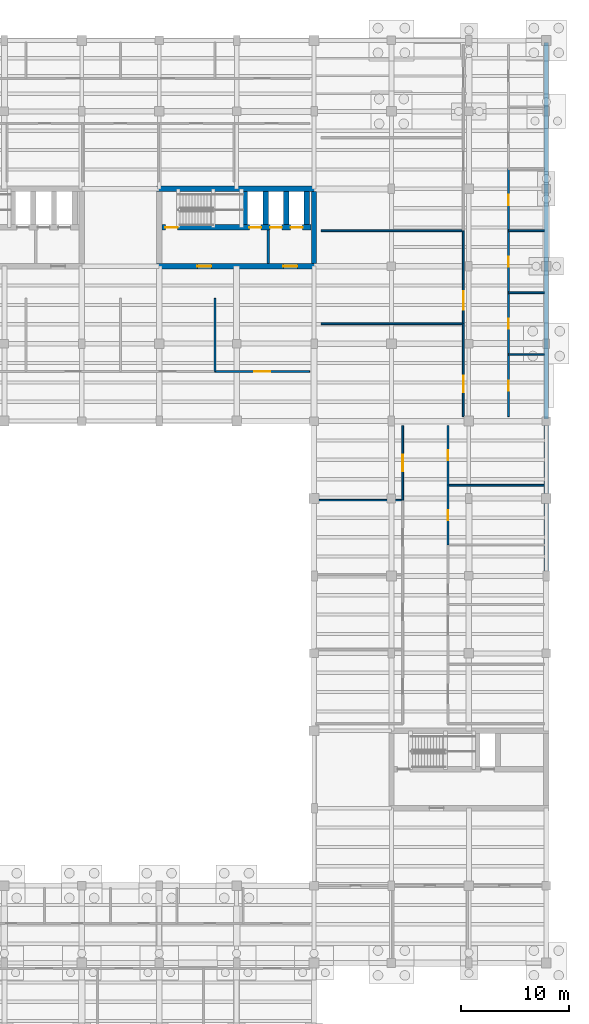
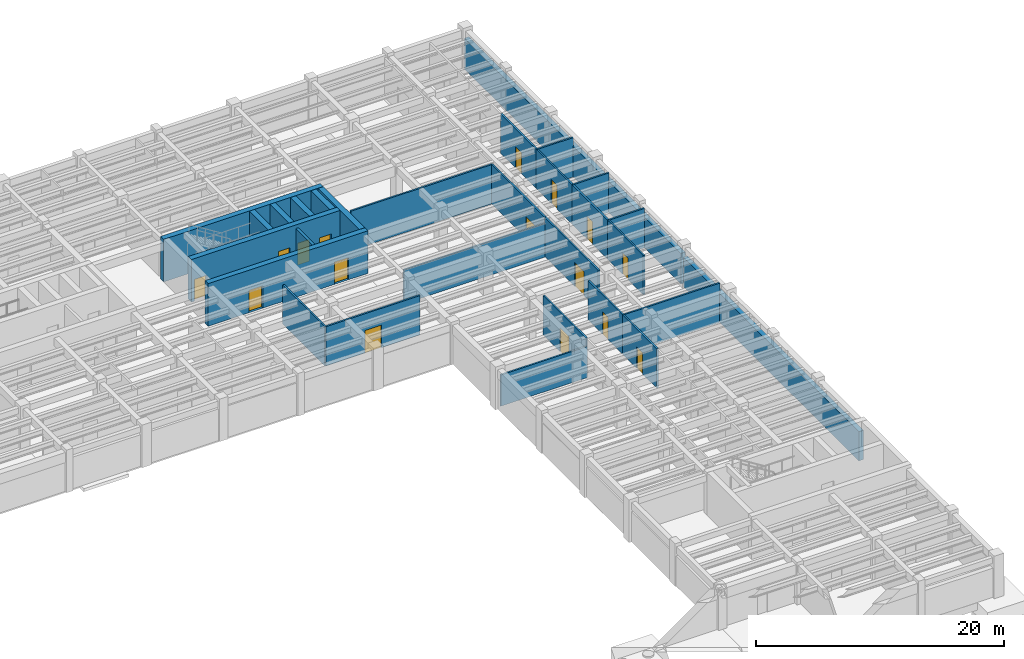
# One storey, part 24 of 33: 29 walls, 16 doors, 16 openings.
"""IFC4 building model written with IfcOpenShell, lengths in metres."""

from ifc_helpers import new_model, si_unit, direction, frame, frame_2d, origin, place, context, subcontext, project, spatial, rectangle, extrude, material, layer, layer_set, type_object, element, fill, save


model = new_model("IFC4")

# Units and contexts
model_context = context("Model", 3, precision=1e-05, world=origin(), true_north=direction((0.0, 1.0)))
body_context = subcontext(model_context, "Body", "Model", "MODEL_VIEW")
ifc_project = project(units=[si_unit("LENGTHUNIT", "METRE"), si_unit("AREAUNIT", "SQUARE_METRE"), si_unit("VOLUMEUNIT", "CUBIC_METRE"), si_unit("PLANEANGLEUNIT", "RADIAN"), si_unit("MASSUNIT", "GRAM", prefix="KILO")], contexts=[model_context])

# Site, building, storey
site_placement = place(None, origin())
site = spatial("IfcSite", under=ifc_project, at=site_placement, CompositionType="ELEMENT")
building_placement = place(site_placement, origin())
building = spatial("IfcBuilding", under=site, at=building_placement, Name="Mithqara Police Headquarters", CompositionType="ELEMENT")
storey_placement = place(building_placement, frame((0.0, 0.0, -4.199951171875)))
storey = spatial("IfcBuildingStorey", under=building, at=storey_placement, Name="B1", CompositionType="ELEMENT", Elevation=-4.199951171875)

# Walls
ifc_material_1 = material(Name="Concrete C40/50", Category="concrete")
ifc_layer_1 = layer(ifc_material_1, 0.239990234375, Name="Concrete C40/50")
ifc_layer_set_1 = layer_set([ifc_layer_1], Name="Concrete C40/50")
wall_type_1 = type_object("IfcWallType", Name="CORE LOBBY WALL 240", PredefinedType="SOLIDWALL", material=ifc_layer_set_1)
wall_1_placement = place(storey_placement, frame((140.330078125, 93.25, 0.0), z_axis=(0.0, 0.0, 1.0), x_axis=(0.0, 1.0, 0.0)))
element("IfcWall", 1, at=wall_1_placement, inside=storey, type_object=wall_type_1, Name="Core C2 Command East Firefighting Lobby Separation Wall B1", PredefinedType="SOLIDWALL", context=body_context, shape_type="SweptSolid", body=[
    extrude(rectangle(XDim=3.1201171875, YDim=0.239990234375, at=frame_2d((1.56005859375, 0.0))), origin(), (0.0, 0.0, 1.0), 3.849853515625),
])
ifc_material_2 = material(Name="Gypsum acoustic stud partition", Category="gypsum")
ifc_layer_2 = layer(ifc_material_2, 0.159912109375, Name="Gypsum acoustic stud partition")
ifc_layer_set_2 = layer_set([ifc_layer_2], Name="Gypsum acoustic stud partition")
wall_type_2 = type_object("IfcWallType", Name="PART WALL 160", PredefinedType="PARTITIONING", material=ifc_layer_set_2)
wall_2_placement = place(storey_placement, frame((135.389892578125, 83.219970703125, 0.0), z_axis=(0.0, 0.0, 1.0), x_axis=(0.0, 1.0, 0.0)))
element("IfcWall", 2, at=wall_2_placement, inside=storey, type_object=wall_type_2, Name="B1 Room Partition Accessible WC", PredefinedType="PARTITIONING", context=body_context, shape_type="SweptSolid", body=[
    extrude(rectangle(XDim=6.780029296875, YDim=0.159912109375, at=frame_2d((3.39013671875, 0.0))), origin(), (0.0, 0.0, 1.0), 3.8798828125),
])

# Wall, opening, door
wall_3_placement = place(storey_placement, frame((135.389892578125, 83.219970703125, 0.0), z_axis=(0.0, 0.0, 1.0), x_axis=(1.0, 0.0, 0.0)))
wall_3 = element("IfcWall", 3, at=wall_3_placement, inside=storey, type_object=wall_type_2, Name="B1 Corridor Wall Patrol Car Park", PredefinedType="PARTITIONING", context=body_context, shape_type="SweptSolid", body=[
    extrude(rectangle(XDim=8.7900390625, YDim=0.159912109375, at=frame_2d((4.39501953125, 0.0))), origin(), (0.0, 0.0, 1.0), 3.8798828125),
])
opening_1_placement = place(wall_3_placement, frame((3.635009765625, 0.0, 0.0)))
opening_1 = element("IfcOpeningElement", 4, at=opening_1_placement, cuts=wall_3, Name="Opening D-20", PredefinedType="OPENING", context=body_context, shape_type="SweptSolid", body=[
    extrude(rectangle(XDim=1.52001953125, YDim=2.219970703125, at=frame_2d((0.760009765625, 1.10986328125))), frame((0.0, 0.08984375, 0.0), z_axis=(0.0, -1.0, 0.0), x_axis=(1.0, 0.0, 0.0)), (0.0, 0.0, 1.0), 0.179931640625),
])
ifc_material_3 = material(Name="Bronze anodised aluminium 6063-T6", Category="aluminium")
door_type_1 = type_object("IfcDoorType", Name="INT DOOR 1520X2220", OperationType="NOTDEFINED", PredefinedType="DOOR", material=ifc_material_3)
door_1_placement = place(opening_1_placement, origin())
door_1 = element("IfcDoor", 5, at=door_1_placement, inside=storey, type_object=door_type_1, Name="Patrol Car Park Entry Door", OperationType="DOUBLE_DOOR_SINGLE_SWING", OverallHeight=2.219970703125, OverallWidth=1.52001953125, PredefinedType="DOOR", context=body_context, shape_type="SweptSolid", body=[
    extrude(rectangle(XDim=1.52001953125, YDim=2.219970703125, at=frame_2d((0.760009765625, 1.10986328125))), frame((0.0, 0.02490234375, 0.0), z_axis=(0.0, -1.0, 0.0), x_axis=(1.0, 0.0, 0.0)), (0.0, 0.0, 1.0), 0.050048828125),
])
fill(opening_1, door_1)

wall_4_placement = place(storey_placement, frame((158.47998046875, 79.02001953125, 0.0), z_axis=(0.0, 0.0, 1.0), x_axis=(0.0, 1.0, 0.0)))
wall_4 = element("IfcWall", 6, at=wall_4_placement, inside=storey, type_object=wall_type_2, Name="B1 Corridor Wall Patrol Car Park", PredefinedType="PARTITIONING", context=body_context, shape_type="SweptSolid", body=[
    extrude(rectangle(XDim=8.639892578125, YDim=0.159912109375, at=frame_2d((4.31982421875, 0.0))), origin(), (0.0, 0.0, 1.0), 3.8798828125),
])
opening_2_placement = place(wall_4_placement, frame((2.263916015625, 0.0, 0.0)))
opening_2 = element("IfcOpeningElement", 7, at=opening_2_placement, cuts=wall_4, Name="Opening D-21", PredefinedType="OPENING", context=body_context, shape_type="SweptSolid", body=[
    extrude(rectangle(XDim=1.52001953125, YDim=2.35009765625, at=frame_2d((0.760009765625, 1.175048828125))), frame((0.0, 0.08984375, 0.0), z_axis=(0.0, -1.0, 0.0), x_axis=(1.0, 0.0, 0.0)), (0.0, 0.0, 1.0), 0.179931640625),
])
door_type_2 = type_object("IfcDoorType", Name="INT DOOR 1520X2350", OperationType="NOTDEFINED", PredefinedType="DOOR", material=ifc_material_3)
door_2_placement = place(opening_2_placement, frame((1.52001953125, 0.0, 0.0), z_axis=(0.0, 0.0, 1.0), x_axis=(-1.0, 0.0, 0.0)))
door_2 = element("IfcDoor", 8, at=door_2_placement, inside=storey, type_object=door_type_2, Name="Patrol Car Park Entry Door", OperationType="DOUBLE_DOOR_SINGLE_SWING", OverallHeight=2.35009765625, OverallWidth=1.52001953125, PredefinedType="DOOR", context=body_context, shape_type="SweptSolid", body=[
    extrude(rectangle(XDim=1.52001953125, YDim=2.35009765625, at=frame_2d((0.760009765625, 1.175048828125))), frame((0.0, 0.02490234375, 0.0), z_axis=(0.0, -1.0, 0.0), x_axis=(1.0, 0.0, 0.0)), (0.0, 0.0, 1.0), 0.050048828125),
])
fill(opening_2, door_2)

# Wall
wall_5_placement = place(storey_placement, frame((145.25, 87.659912109375, 0.0), z_axis=(0.0, 0.0, 1.0), x_axis=(1.0, 0.0, 0.0)))
element("IfcWall", 9, at=wall_5_placement, inside=storey, type_object=wall_type_2, Name="B1 Room Partition Patrol Car Park", PredefinedType="PARTITIONING", context=body_context, shape_type="SweptSolid", body=[
    extrude(rectangle(XDim=13.22998046875, YDim=0.159912109375, at=frame_2d((6.614990234375, 0.0))), origin(), (0.0, 0.0, 1.0), 3.329833984375),
])

# Wall, opening, door
wall_6_placement = place(storey_placement, frame((158.47998046875, 87.659912109375, 0.0), z_axis=(0.0, 0.0, 1.0), x_axis=(0.0, 1.0, 0.0)))
wall_6 = element("IfcWall", 10, at=wall_6_placement, inside=storey, type_object=wall_type_2, Name="B1 Corridor Wall Electric Patrol Charging Bay", PredefinedType="PARTITIONING", context=body_context, shape_type="SweptSolid", body=[
    extrude(rectangle(XDim=8.64013671875, YDim=0.159912109375, at=frame_2d((4.320068359375, 0.0))), origin(), (0.0, 0.0, 1.0), 3.8798828125),
])
opening_3_placement = place(wall_6_placement, frame((1.300048828125, 0.0, 0.0)))
opening_3 = element("IfcOpeningElement", 11, at=opening_3_placement, cuts=wall_6, Name="Opening D-22", PredefinedType="OPENING", context=body_context, shape_type="SweptSolid", body=[
    extrude(rectangle(XDim=1.719970703125, YDim=2.10009765625, at=frame_2d((0.85986328125, 1.050048828125))), frame((0.0, 0.08984375, 0.0), z_axis=(0.0, -1.0, 0.0), x_axis=(1.0, 0.0, 0.0)), (0.0, 0.0, 1.0), 0.179931640625),
])
door_type_3 = type_object("IfcDoorType", Name="INT DOOR 1720X2100", OperationType="NOTDEFINED", PredefinedType="DOOR", material=ifc_material_3)
door_3_placement = place(opening_3_placement, frame((1.719970703125, 0.0, 0.0), z_axis=(0.0, 0.0, 1.0), x_axis=(-1.0, 0.0, 0.0)))
door_3 = element("IfcDoor", 12, at=door_3_placement, inside=storey, type_object=door_type_3, Name="Electric Patrol Charging Bay Entry Door", OperationType="DOUBLE_DOOR_SINGLE_SWING", OverallHeight=2.10009765625, OverallWidth=1.719970703125, PredefinedType="DOOR", context=body_context, shape_type="SweptSolid", body=[
    extrude(rectangle(XDim=1.719970703125, YDim=2.10009765625, at=frame_2d((0.85986328125, 1.050048828125))), frame((0.0, 0.02490234375, 0.0), z_axis=(0.0, -1.0, 0.0), x_axis=(1.0, 0.0, 0.0)), (0.0, 0.0, 1.0), 0.050048828125),
])
fill(opening_3, door_3)

# Wall
wall_7_placement = place(storey_placement, frame((145.25, 96.300048828125, 0.0), z_axis=(0.0, 0.0, 1.0), x_axis=(1.0, 0.0, 0.0)))
element("IfcWall", 13, at=wall_7_placement, inside=storey, type_object=wall_type_2, Name="B1 Room Partition Electric Patrol Charging Bay", PredefinedType="PARTITIONING", context=body_context, shape_type="SweptSolid", body=[
    extrude(rectangle(XDim=13.22998046875, YDim=0.159912109375, at=frame_2d((6.614990234375, 0.0))), origin(), (0.0, 0.0, 1.0), 3.8798828125),
])

# Wall, opening, door
wall_8_placement = place(storey_placement, frame((162.679931640625, 79.02001953125, 0.0), z_axis=(0.0, 0.0, 1.0), x_axis=(0.0, 1.0, 0.0)))
wall_8 = element("IfcWall", 14, at=wall_8_placement, inside=storey, type_object=wall_type_2, Name="B1 Corridor Wall Patrol Car Park", PredefinedType="PARTITIONING", context=body_context, shape_type="SweptSolid", body=[
    extrude(rectangle(XDim=5.760009765625, YDim=0.159912109375, at=frame_2d((2.8798828125, 0.0))), origin(), (0.0, 0.0, 1.0), 3.8798828125),
])
opening_4_placement = place(wall_8_placement, frame((2.419921875, 0.0, 0.0)))
opening_4 = element("IfcOpeningElement", 15, at=opening_4_placement, cuts=wall_8, Name="Opening D-01", PredefinedType="OPENING", context=body_context, shape_type="SweptSolid", body=[
    extrude(rectangle(XDim=0.919921875, YDim=2.10009765625, at=frame_2d((0.4599609375, 1.050048828125))), frame((0.0, 0.08984375, 0.0), z_axis=(0.0, -1.0, 0.0), x_axis=(1.0, 0.0, 0.0)), (0.0, 0.0, 1.0), 0.179931640625),
])
ifc_material_4 = material(Name="Acoustic solid-core timber leaf", Category="wood")
door_type_4 = type_object("IfcDoorType", Name="INT DOOR 920X2100", OperationType="NOTDEFINED", PredefinedType="DOOR", material=ifc_material_4)
door_4_placement = place(opening_4_placement, origin())
door_4 = element("IfcDoor", 16, at=door_4_placement, inside=storey, type_object=door_type_4, Name="Patrol Car Park Entry Door", OperationType="SINGLE_SWING_RIGHT", OverallHeight=2.10009765625, OverallWidth=0.919921875, PredefinedType="DOOR", context=body_context, shape_type="SweptSolid", body=[
    extrude(rectangle(XDim=0.919921875, YDim=2.10009765625, at=frame_2d((0.4599609375, 1.050048828125))), frame((0.0, 0.02490234375, 0.0), z_axis=(0.0, -1.0, 0.0), x_axis=(1.0, 0.0, 0.0)), (0.0, 0.0, 1.0), 0.050048828125),
])
fill(opening_4, door_4)

# Wall
wall_9_placement = place(storey_placement, frame((162.679931640625, 84.780029296875, 0.0), z_axis=(0.0, 0.0, 1.0), x_axis=(1.0, 0.0, 0.0)))
element("IfcWall", 17, at=wall_9_placement, inside=storey, type_object=wall_type_2, Name="B1 Room Partition Patrol Car Park", PredefinedType="PARTITIONING", context=body_context, shape_type="SweptSolid", body=[
    extrude(rectangle(XDim=3.340087890625, YDim=0.159912109375, at=frame_2d((1.669921875, 0.0))), origin(), (0.0, 0.0, 1.0), 3.8798828125),
])

# Wall, opening, door
wall_10_placement = place(storey_placement, frame((162.679931640625, 84.780029296875, 0.0), z_axis=(0.0, 0.0, 1.0), x_axis=(0.0, 1.0, 0.0)))
wall_10 = element("IfcWall", 18, at=wall_10_placement, inside=storey, type_object=wall_type_2, Name="B1 Corridor Wall Electric Patrol Charging Bay", PredefinedType="PARTITIONING", context=body_context, shape_type="SweptSolid", body=[
    extrude(rectangle(XDim=5.760009765625, YDim=0.159912109375, at=frame_2d((2.8798828125, 0.0))), origin(), (0.0, 0.0, 1.0), 3.8798828125),
])
opening_5_placement = place(wall_10_placement, frame((2.419921875, 0.0, 0.0)))
opening_5 = element("IfcOpeningElement", 19, at=opening_5_placement, cuts=wall_10, Name="Opening D-02", PredefinedType="OPENING", context=body_context, shape_type="SweptSolid", body=[
    extrude(rectangle(XDim=0.919921875, YDim=2.219970703125, at=frame_2d((0.4599609375, 1.10986328125))), frame((0.0, 0.08984375, 0.0), z_axis=(0.0, -1.0, 0.0), x_axis=(1.0, 0.0, 0.0)), (0.0, 0.0, 1.0), 0.179931640625),
])
door_type_5 = type_object("IfcDoorType", Name="INT DOOR 920X2220", OperationType="NOTDEFINED", PredefinedType="DOOR", material=ifc_material_4)
door_5_placement = place(opening_5_placement, origin())
door_5 = element("IfcDoor", 20, at=door_5_placement, inside=storey, type_object=door_type_5, Name="Electric Patrol Charging Bay Entry Door", OperationType="SINGLE_SWING_LEFT", OverallHeight=2.219970703125, OverallWidth=0.919921875, PredefinedType="DOOR", context=body_context, shape_type="SweptSolid", body=[
    extrude(rectangle(XDim=0.919921875, YDim=2.219970703125, at=frame_2d((0.4599609375, 1.10986328125))), frame((0.0, 0.02490234375, 0.0), z_axis=(0.0, -1.0, 0.0), x_axis=(1.0, 0.0, 0.0)), (0.0, 0.0, 1.0), 0.050048828125),
])
fill(opening_5, door_5)

# Wall
wall_11_placement = place(storey_placement, frame((162.679931640625, 90.5400390625, 0.0), z_axis=(0.0, 0.0, 1.0), x_axis=(1.0, 0.0, 0.0)))
element("IfcWall", 21, at=wall_11_placement, inside=storey, type_object=wall_type_2, Name="B1 Room Partition Electric Patrol Charging Bay", PredefinedType="PARTITIONING", context=body_context, shape_type="SweptSolid", body=[
    extrude(rectangle(XDim=3.340087890625, YDim=0.159912109375, at=frame_2d((1.669921875, 0.0))), origin(), (0.0, 0.0, 1.0), 3.8798828125),
])

# Wall, opening, door
wall_12_placement = place(storey_placement, frame((162.679931640625, 90.5400390625, 0.0), z_axis=(0.0, 0.0, 1.0), x_axis=(0.0, 1.0, 0.0)))
wall_12 = element("IfcWall", 22, at=wall_12_placement, inside=storey, type_object=wall_type_2, Name="B1 Corridor Wall Patrol Car Park", PredefinedType="PARTITIONING", context=body_context, shape_type="SweptSolid", body=[
    extrude(rectangle(XDim=5.760009765625, YDim=0.159912109375, at=frame_2d((2.8798828125, 0.0))), origin(), (0.0, 0.0, 1.0), 3.8798828125),
])
opening_6_placement = place(wall_12_placement, frame((2.419921875, 0.0, 0.0)))
opening_6 = element("IfcOpeningElement", 23, at=opening_6_placement, cuts=wall_12, Name="Opening D-03", PredefinedType="OPENING", context=body_context, shape_type="SweptSolid", body=[
    extrude(rectangle(XDim=0.919921875, YDim=2.35009765625, at=frame_2d((0.4599609375, 1.175048828125))), frame((0.0, 0.08984375, 0.0), z_axis=(0.0, -1.0, 0.0), x_axis=(1.0, 0.0, 0.0)), (0.0, 0.0, 1.0), 0.179931640625),
])
door_type_6 = type_object("IfcDoorType", Name="INT DOOR 920X2350", OperationType="NOTDEFINED", PredefinedType="DOOR", material=ifc_material_4)
door_6_placement = place(opening_6_placement, origin())
door_6 = element("IfcDoor", 24, at=door_6_placement, inside=storey, type_object=door_type_6, Name="Patrol Car Park Entry Door", OperationType="SINGLE_SWING_RIGHT", OverallHeight=2.35009765625, OverallWidth=0.919921875, PredefinedType="DOOR", context=body_context, shape_type="SweptSolid", body=[
    extrude(rectangle(XDim=0.919921875, YDim=2.35009765625, at=frame_2d((0.4599609375, 1.175048828125))), frame((0.0, 0.02490234375, 0.0), z_axis=(0.0, -1.0, 0.0), x_axis=(1.0, 0.0, 0.0)), (0.0, 0.0, 1.0), 0.050048828125),
])
fill(opening_6, door_6)

# Wall
wall_13_placement = place(storey_placement, frame((162.679931640625, 96.300048828125, 0.0), z_axis=(0.0, 0.0, 1.0), x_axis=(1.0, 0.0, 0.0)))
element("IfcWall", 25, at=wall_13_placement, inside=storey, type_object=wall_type_2, Name="B1 Room Partition Patrol Car Park", PredefinedType="PARTITIONING", context=body_context, shape_type="SweptSolid", body=[
    extrude(rectangle(XDim=3.340087890625, YDim=0.159912109375, at=frame_2d((1.669921875, 0.0))), origin(), (0.0, 0.0, 1.0), 3.8798828125),
])

# Wall, opening, door
wall_14_placement = place(storey_placement, frame((162.679931640625, 96.300048828125, 0.0), z_axis=(0.0, 0.0, 1.0), x_axis=(0.0, 1.0, 0.0)))
wall_14 = element("IfcWall", 26, at=wall_14_placement, inside=storey, type_object=wall_type_2, Name="B1 Corridor Wall Electric Patrol Charging Bay", PredefinedType="PARTITIONING", context=body_context, shape_type="SweptSolid", body=[
    extrude(rectangle(XDim=5.760009765625, YDim=0.159912109375, at=frame_2d((2.8798828125, 0.0))), origin(), (0.0, 0.0, 1.0), 3.8798828125),
])
opening_7_placement = place(wall_14_placement, frame((2.389892578125, 0.0, 0.0)))
opening_7 = element("IfcOpeningElement", 27, at=opening_7_placement, cuts=wall_14, Name="Opening D-04", PredefinedType="OPENING", context=body_context, shape_type="SweptSolid", body=[
    extrude(rectangle(XDim=0.97998046875, YDim=2.10009765625, at=frame_2d((0.489990234375, 1.050048828125))), frame((0.0, 0.08984375, 0.0), z_axis=(0.0, -1.0, 0.0), x_axis=(1.0, 0.0, 0.0)), (0.0, 0.0, 1.0), 0.179931640625),
])
door_type_7 = type_object("IfcDoorType", Name="INT DOOR 980X2100", OperationType="NOTDEFINED", PredefinedType="DOOR", material=ifc_material_4)
door_7_placement = place(opening_7_placement, origin())
door_7 = element("IfcDoor", 28, at=door_7_placement, inside=storey, type_object=door_type_7, Name="Electric Patrol Charging Bay Entry Door", OperationType="SINGLE_SWING_LEFT", OverallHeight=2.10009765625, OverallWidth=0.97998046875, PredefinedType="DOOR", context=body_context, shape_type="SweptSolid", body=[
    extrude(rectangle(XDim=0.97998046875, YDim=2.10009765625, at=frame_2d((0.489990234375, 1.050048828125))), frame((0.0, 0.02490234375, 0.0), z_axis=(0.0, -1.0, 0.0), x_axis=(1.0, 0.0, 0.0)), (0.0, 0.0, 1.0), 0.050048828125),
])
fill(opening_7, door_7)

# Wall
wall_15_placement = place(storey_placement, frame((144.780029296875, 71.248046875, 0.0), z_axis=(0.0, 0.0, 1.0), x_axis=(1.0, 0.0, 0.0)))
element("IfcWall", 29, at=wall_15_placement, inside=storey, type_object=wall_type_2, Name="B1 Room Partition Evidence Drying Room", PredefinedType="PARTITIONING", context=body_context, shape_type="SweptSolid", body=[
    extrude(rectangle(XDim=8.070068359375, YDim=0.159912109375, at=frame_2d((4.03515625, 0.0))), origin(), (0.0, 0.0, 1.0), 3.079833984375),
])

# Wall, opening, door
wall_16_placement = place(storey_placement, frame((152.85009765625, 71.248046875, 0.0), z_axis=(0.0, 0.0, 1.0), x_axis=(0.0, 1.0, 0.0)))
wall_16 = element("IfcWall", 30, at=wall_16_placement, inside=storey, type_object=wall_type_2, Name="B1 Corridor Wall Bulk Forensic Specimen Cold Room", PredefinedType="PARTITIONING", context=body_context, shape_type="SweptSolid", body=[
    extrude(rectangle(XDim=6.931884765625, YDim=0.159912109375, at=frame_2d((3.4658203125, 0.0))), origin(), (0.0, 0.0, 1.0), 3.8798828125),
])
opening_8_placement = place(wall_16_placement, frame((2.7060546875, 0.0, 0.0)))
opening_8 = element("IfcOpeningElement", 31, at=opening_8_placement, cuts=wall_16, Name="Opening D-21", PredefinedType="OPENING", context=body_context, shape_type="SweptSolid", body=[
    extrude(rectangle(XDim=1.52001953125, YDim=2.35009765625, at=frame_2d((0.760009765625, 1.175048828125))), frame((0.0, 0.08984375, 0.0), z_axis=(0.0, -1.0, 0.0), x_axis=(1.0, 0.0, 0.0)), (0.0, 0.0, 1.0), 0.179931640625),
])
door_8_placement = place(opening_8_placement, frame((1.52001953125, 0.0, 0.0), z_axis=(0.0, 0.0, 1.0), x_axis=(-1.0, 0.0, 0.0)))
door_8 = element("IfcDoor", 32, at=door_8_placement, inside=storey, type_object=door_type_2, Name="Bulk Forensic Specimen Cold Room Entry Door", OperationType="DOUBLE_DOOR_SINGLE_SWING", OverallHeight=2.35009765625, OverallWidth=1.52001953125, PredefinedType="DOOR", context=body_context, shape_type="SweptSolid", body=[
    extrude(rectangle(XDim=1.52001953125, YDim=2.35009765625, at=frame_2d((0.760009765625, 1.175048828125))), frame((0.0, 0.02490234375, 0.0), z_axis=(0.0, -1.0, 0.0), x_axis=(1.0, 0.0, 0.0)), (0.0, 0.0, 1.0), 0.050048828125),
])
fill(opening_8, door_8)

wall_17_placement = place(storey_placement, frame((157.050048828125, 67.087890625, 0.0), z_axis=(0.0, 0.0, 1.0), x_axis=(0.0, 1.0, 0.0)))
wall_17 = element("IfcWall", 33, at=wall_17_placement, inside=storey, type_object=wall_type_2, Name="B1 Corridor Wall Vehicle Examination Bay", PredefinedType="PARTITIONING", context=body_context, shape_type="SweptSolid", body=[
    extrude(rectangle(XDim=5.546142578125, YDim=0.159912109375, at=frame_2d((2.77294921875, 0.0))), origin(), (0.0, 0.0, 1.0), 3.8798828125),
])
opening_9_placement = place(wall_17_placement, frame((2.31298828125, 0.0, 0.0)))
opening_9 = element("IfcOpeningElement", 34, at=opening_9_placement, cuts=wall_17, Name="Opening D-01", PredefinedType="OPENING", context=body_context, shape_type="SweptSolid", body=[
    extrude(rectangle(XDim=0.919921875, YDim=2.10009765625, at=frame_2d((0.4599609375, 1.050048828125))), frame((0.0, 0.08984375, 0.0), z_axis=(0.0, -1.0, 0.0), x_axis=(1.0, 0.0, 0.0)), (0.0, 0.0, 1.0), 0.179931640625),
])
door_9_placement = place(opening_9_placement, origin())
door_9 = element("IfcDoor", 35, at=door_9_placement, inside=storey, type_object=door_type_4, Name="Vehicle Examination Bay Entry Door", OperationType="SINGLE_SWING_RIGHT", OverallHeight=2.10009765625, OverallWidth=0.919921875, PredefinedType="DOOR", context=body_context, shape_type="SweptSolid", body=[
    extrude(rectangle(XDim=0.919921875, YDim=2.10009765625, at=frame_2d((0.4599609375, 1.050048828125))), frame((0.0, 0.02490234375, 0.0), z_axis=(0.0, -1.0, 0.0), x_axis=(1.0, 0.0, 0.0)), (0.0, 0.0, 1.0), 0.050048828125),
])
fill(opening_9, door_9)

# Wall
wall_18_placement = place(storey_placement, frame((157.050048828125, 72.634033203125, 0.0), z_axis=(0.0, 0.0, 1.0), x_axis=(1.0, 0.0, 0.0)))
element("IfcWall", 36, at=wall_18_placement, inside=storey, type_object=wall_type_2, Name="B1 Room Partition Vehicle Examination Bay", PredefinedType="PARTITIONING", context=body_context, shape_type="SweptSolid", body=[
    extrude(rectangle(XDim=8.969970703125, YDim=0.159912109375, at=frame_2d((4.48486328125, 0.0))), origin(), (0.0, 0.0, 1.0), 3.8798828125),
])

# Wall, opening, door
wall_19_placement = place(storey_placement, frame((157.050048828125, 72.634033203125, 0.0), z_axis=(0.0, 0.0, 1.0), x_axis=(0.0, 1.0, 0.0)))
wall_19 = element("IfcWall", 37, at=wall_19_placement, inside=storey, type_object=wall_type_2, Name="B1 Corridor Wall Evidence Drying Room", PredefinedType="PARTITIONING", context=body_context, shape_type="SweptSolid", body=[
    extrude(rectangle(XDim=5.5458984375, YDim=0.159912109375, at=frame_2d((2.77294921875, 0.0))), origin(), (0.0, 0.0, 1.0), 3.8798828125),
])
opening_10_placement = place(wall_19_placement, frame((2.31298828125, 0.0, 0.0)))
opening_10 = element("IfcOpeningElement", 38, at=opening_10_placement, cuts=wall_19, Name="Opening D-02", PredefinedType="OPENING", context=body_context, shape_type="SweptSolid", body=[
    extrude(rectangle(XDim=0.919921875, YDim=2.219970703125, at=frame_2d((0.4599609375, 1.10986328125))), frame((0.0, 0.08984375, 0.0), z_axis=(0.0, -1.0, 0.0), x_axis=(1.0, 0.0, 0.0)), (0.0, 0.0, 1.0), 0.179931640625),
])
door_10_placement = place(opening_10_placement, origin())
door_10 = element("IfcDoor", 39, at=door_10_placement, inside=storey, type_object=door_type_5, Name="Evidence Drying Room Entry Door", OperationType="SINGLE_SWING_LEFT", OverallHeight=2.219970703125, OverallWidth=0.919921875, PredefinedType="DOOR", context=body_context, shape_type="SweptSolid", body=[
    extrude(rectangle(XDim=0.919921875, YDim=2.219970703125, at=frame_2d((0.4599609375, 1.10986328125))), frame((0.0, 0.02490234375, 0.0), z_axis=(0.0, -1.0, 0.0), x_axis=(1.0, 0.0, 0.0)), (0.0, 0.0, 1.0), 0.050048828125),
])
fill(opening_10, door_10)

# Walls
ifc_layer_3 = layer(ifc_material_1, 0.419921875, Name="Concrete C40/50")
ifc_layer_set_3 = layer_set([ifc_layer_3], Name="Concrete C40/50")
wall_type_3 = type_object("IfcWallType", Name="RETAINING WALL 420", PredefinedType="USERDEFINED", material=ifc_layer_set_3)
wall_20_placement = place(storey_placement, frame((166.199951171875, 113.800048828125, 0.0), z_axis=(0.0, 0.0, 1.0), x_axis=(0.0, -1.0, 0.0)))
element("IfcWall", 40, at=wall_20_placement, inside=storey, type_object=wall_type_3, Name="B1 Perimeter Retaining Wall 11", ObjectType="RETAININGWALL", PredefinedType="USERDEFINED", context=body_context, shape_type="SweptSolid", body=[
    extrude(rectangle(XDim=35.0, YDim=0.419921875, at=frame_2d((17.5, 0.0))), origin(), (0.0, 0.0, 1.0), 3.030029296875),
])
wall_21_placement = place(storey_placement, frame((166.199951171875, 78.39990234375, 0.0), z_axis=(0.0, 0.0, 1.0), x_axis=(0.0, -1.0, 0.0)))
element("IfcWall", 41, at=wall_21_placement, inside=storey, type_object=wall_type_3, Name="B1 Perimeter Retaining Wall 12", ObjectType="RETAININGWALL", PredefinedType="USERDEFINED", context=body_context, shape_type="SweptSolid", body=[
    extrude(rectangle(XDim=28.369873046875, YDim=0.419921875, at=frame_2d((14.18505859375, 0.0))), origin(), (0.0, 0.0, 1.0), 2.8798828125),
])
ifc_material_5 = material(Name="Concrete C50/60", Category="concrete")
ifc_layer_4 = layer(ifc_material_5, 0.5, Name="Concrete C50/60")
ifc_layer_set_4 = layer_set([ifc_layer_4], Name="Concrete C50/60")
wall_type_4 = type_object("IfcWallType", Name="SHEAR WALL 500", PredefinedType="SHEAR", material=ifc_layer_set_4)
wall_22_placement = place(storey_placement, frame((129.949951171875, 100.199951171875, 0.0), z_axis=(0.0, 0.0, 1.0), x_axis=(1.0, 0.0, 0.0)))
element("IfcWall", 42, at=wall_22_placement, inside=storey, type_object=wall_type_4, Name="Core C2 Command East Shear Wall N", PredefinedType="SHEAR", context=body_context, shape_type="SweptSolid", body=[
    extrude(rectangle(XDim=14.900146484375, YDim=0.5, at=frame_2d((7.4501953125, 0.0))), origin(), (0.0, 0.0, 1.0), 4.199951171875),
])

# Wall, openings, doors
wall_23_placement = place(storey_placement, frame((129.949951171875, 93.0, 0.0), z_axis=(0.0, 0.0, 1.0), x_axis=(1.0, 0.0, 0.0)))
wall_23 = element("IfcWall", 43, at=wall_23_placement, inside=storey, type_object=wall_type_4, Name="Core C2 Command East Shear Wall S", PredefinedType="SHEAR", context=body_context, shape_type="SweptSolid", body=[
    extrude(rectangle(XDim=14.900146484375, YDim=0.5, at=frame_2d((7.4501953125, 0.0))), origin(), (0.0, 0.0, 1.0), 4.199951171875),
])
opening_11_placement = place(wall_23_placement, frame((3.800048828125, 0.0, 0.0)))
opening_11 = element("IfcOpeningElement", 44, at=opening_11_placement, cuts=wall_23, Name="Opening FD-02", PredefinedType="OPENING", context=body_context, shape_type="SweptSolid", body=[
    extrude(rectangle(XDim=1.300048828125, YDim=2.199951171875, at=frame_2d((0.64990234375, 1.10009765625))), frame((0.0, 0.260009765625, 0.0), z_axis=(0.0, -1.0, 0.0), x_axis=(1.0, 0.0, 0.0)), (0.0, 0.0, 1.0), 0.52001953125),
])
opening_12_placement = place(wall_23_placement, frame((11.800048828125, 0.0, 0.0)))
opening_12 = element("IfcOpeningElement", 45, at=opening_12_placement, cuts=wall_23, Name="Opening FD-02", PredefinedType="OPENING", context=body_context, shape_type="SweptSolid", body=[
    extrude(rectangle(XDim=1.300048828125, YDim=2.199951171875, at=frame_2d((0.64990234375, 1.10009765625))), frame((0.0, 0.260009765625, 0.0), z_axis=(0.0, -1.0, 0.0), x_axis=(1.0, 0.0, 0.0)), (0.0, 0.0, 1.0), 0.52001953125),
])
ifc_material_6 = material(Name="Steel S355JR", Category="steel")
door_type_8 = type_object("IfcDoorType", Name="CORE DOOR LOBBY 1300X2200", OperationType="NOTDEFINED", PredefinedType="DOOR", material=ifc_material_6)
door_11_placement = place(opening_11_placement, frame((1.300048828125, 0.0, 0.0), z_axis=(0.0, 0.0, 1.0), x_axis=(-1.0, 0.0, 0.0)))
door_11 = element("IfcDoor", 46, at=door_11_placement, inside=storey, type_object=door_type_8, Name="Core C2 Command East FF Lobby Fire Door B1", OperationType="SINGLE_SWING_LEFT", OverallHeight=2.199951171875, OverallWidth=1.300048828125, PredefinedType="DOOR", context=body_context, shape_type="SweptSolid", body=[
    extrude(rectangle(XDim=1.300048828125, YDim=2.199951171875, at=frame_2d((0.64990234375, 1.10009765625))), frame((0.0, 0.02490234375, 0.0), z_axis=(0.0, -1.0, 0.0), x_axis=(1.0, 0.0, 0.0)), (0.0, 0.0, 1.0), 0.050048828125),
])
fill(opening_11, door_11)
door_12_placement = place(opening_12_placement, frame((1.300048828125, 0.0, 0.0), z_axis=(0.0, 0.0, 1.0), x_axis=(-1.0, 0.0, 0.0)))
door_12 = element("IfcDoor", 47, at=door_12_placement, inside=storey, type_object=door_type_8, Name="Core C2 Command East PA Lobby Fire Door B1", OperationType="SINGLE_SWING_RIGHT", OverallHeight=2.199951171875, OverallWidth=1.300048828125, PredefinedType="DOOR", context=body_context, shape_type="SweptSolid", body=[
    extrude(rectangle(XDim=1.300048828125, YDim=2.199951171875, at=frame_2d((0.64990234375, 1.10009765625))), frame((0.0, 0.02490234375, 0.0), z_axis=(0.0, -1.0, 0.0), x_axis=(1.0, 0.0, 0.0)), (0.0, 0.0, 1.0), 0.050048828125),
])
fill(opening_12, door_12)

# Wall
wall_24_placement = place(storey_placement, frame((144.60009765625, 93.260009765625, 0.0), z_axis=(0.0, 0.0, 1.0), x_axis=(0.0, 1.0, 0.0)))
element("IfcWall", 48, at=wall_24_placement, inside=storey, type_object=wall_type_4, Name="Core C2 Command East Shear Wall E", PredefinedType="SHEAR", context=body_context, shape_type="SweptSolid", body=[
    extrude(rectangle(XDim=6.679931640625, YDim=0.5, at=frame_2d((3.33984375, 0.0))), origin(), (0.0, 0.0, 1.0), 4.199951171875),
])

# Wall, openings, doors
wall_25_placement = place(storey_placement, frame((130.4599609375, 96.6201171875, 0.0), z_axis=(0.0, 0.0, 1.0), x_axis=(1.0, 0.0, 0.0)))
wall_25 = element("IfcWall", 49, at=wall_25_placement, inside=storey, type_object=wall_type_4, Name="Core C2 Command East Shear Wall M", PredefinedType="SHEAR", context=body_context, shape_type="SweptSolid", body=[
    extrude(rectangle(XDim=13.880126953125, YDim=0.5, at=frame_2d((6.93994140625, 0.0))), origin(), (0.0, 0.0, 1.0), 4.199951171875),
])
opening_13_placement = place(wall_25_placement, frame((8.1298828125, 0.0, 0.0)))
opening_13 = element("IfcOpeningElement", 50, at=opening_13_placement, cuts=wall_25, Name="Opening LD-01", PredefinedType="OPENING", context=body_context, shape_type="SweptSolid", body=[
    extrude(rectangle(XDim=1.10009765625, YDim=2.14990234375, at=frame_2d((0.550048828125, 1.074951171875))), frame((0.0, 0.260009765625, 0.0), z_axis=(0.0, -1.0, 0.0), x_axis=(1.0, 0.0, 0.0)), (0.0, 0.0, 1.0), 0.52001953125),
])
opening_14_placement = place(wall_25_placement, frame((10.050048828125, 0.0, 0.0)))
opening_14 = element("IfcOpeningElement", 51, at=opening_14_placement, cuts=wall_25, Name="Opening LD-01", PredefinedType="OPENING", context=body_context, shape_type="SweptSolid", body=[
    extrude(rectangle(XDim=1.10009765625, YDim=2.14990234375, at=frame_2d((0.550048828125, 1.074951171875))), frame((0.0, 0.260009765625, 0.0), z_axis=(0.0, -1.0, 0.0), x_axis=(1.0, 0.0, 0.0)), (0.0, 0.0, 1.0), 0.52001953125),
])
opening_15_placement = place(wall_25_placement, frame((11.969970703125, 0.0, 0.0)))
opening_15 = element("IfcOpeningElement", 52, at=opening_15_placement, cuts=wall_25, Name="Opening LD-01", PredefinedType="OPENING", context=body_context, shape_type="SweptSolid", body=[
    extrude(rectangle(XDim=1.10009765625, YDim=2.14990234375, at=frame_2d((0.550048828125, 1.074951171875))), frame((0.0, 0.260009765625, 0.0), z_axis=(0.0, -1.0, 0.0), x_axis=(1.0, 0.0, 0.0)), (0.0, 0.0, 1.0), 0.52001953125),
])
opening_16_placement = place(wall_25_placement, frame((0.31494140625, 0.0, 0.0)))
opening_16 = element("IfcOpeningElement", 53, at=opening_16_placement, cuts=wall_25, Name="Opening FD-01", PredefinedType="OPENING", context=body_context, shape_type="SweptSolid", body=[
    extrude(rectangle(XDim=1.14990234375, YDim=2.14990234375, at=frame_2d((0.574951171875, 1.074951171875))), frame((0.0, 0.260009765625, 0.0), z_axis=(0.0, -1.0, 0.0), x_axis=(1.0, 0.0, 0.0)), (0.0, 0.0, 1.0), 0.52001953125),
])
door_type_9 = type_object("IfcDoorType", Name="CORE DOOR STAIR 1150X2150", OperationType="NOTDEFINED", PredefinedType="DOOR", material=ifc_material_6)
door_13_placement = place(opening_16_placement, origin())
door_13 = element("IfcDoor", 54, at=door_13_placement, inside=storey, type_object=door_type_9, Name="Stair ST-02 Fire Door B1", OperationType="SINGLE_SWING_LEFT", OverallHeight=2.14990234375, OverallWidth=1.14990234375, PredefinedType="DOOR", context=body_context, shape_type="SweptSolid", body=[
    extrude(rectangle(XDim=1.14990234375, YDim=2.14990234375, at=frame_2d((0.574951171875, 1.074951171875))), frame((0.0, 0.02490234375, 0.0), z_axis=(0.0, -1.0, 0.0), x_axis=(1.0, 0.0, 0.0)), (0.0, 0.0, 1.0), 0.050048828125),
])
fill(opening_16, door_13)
door_type_10 = type_object("IfcDoorType", Name="LIFT DOOR 1100X2150", OperationType="DOUBLE_DOOR_SLIDING", PredefinedType="DOOR", material=ifc_material_6)
door_14_placement = place(opening_13_placement, frame((1.10009765625, 0.0, 0.0), z_axis=(0.0, 0.0, 1.0), x_axis=(-1.0, 0.0, 0.0)))
door_14 = element("IfcDoor", 55, at=door_14_placement, inside=storey, type_object=door_type_10, Name="Lift Landing Door FL-02-B1", OperationType="DOUBLE_DOOR_SLIDING", OverallHeight=2.14990234375, OverallWidth=1.10009765625, PredefinedType="DOOR", context=body_context, shape_type="SweptSolid", body=[
    extrude(rectangle(XDim=1.10009765625, YDim=2.14990234375, at=frame_2d((0.550048828125, 1.074951171875))), frame((0.0, 0.02490234375, 0.0), z_axis=(0.0, -1.0, 0.0), x_axis=(1.0, 0.0, 0.0)), (0.0, 0.0, 1.0), 0.050048828125),
])
fill(opening_13, door_14)
door_15_placement = place(opening_14_placement, frame((1.10009765625, 0.0, 0.0), z_axis=(0.0, 0.0, 1.0), x_axis=(-1.0, 0.0, 0.0)))
door_15 = element("IfcDoor", 56, at=door_15_placement, inside=storey, type_object=door_type_10, Name="Lift Landing Door LP-03-B1", OperationType="DOUBLE_DOOR_SLIDING", OverallHeight=2.14990234375, OverallWidth=1.10009765625, PredefinedType="DOOR", context=body_context, shape_type="SweptSolid", body=[
    extrude(rectangle(XDim=1.10009765625, YDim=2.14990234375, at=frame_2d((0.550048828125, 1.074951171875))), frame((0.0, 0.02490234375, 0.0), z_axis=(0.0, -1.0, 0.0), x_axis=(1.0, 0.0, 0.0)), (0.0, 0.0, 1.0), 0.050048828125),
])
fill(opening_14, door_15)
door_16_placement = place(opening_15_placement, frame((1.10009765625, 0.0, 0.0), z_axis=(0.0, 0.0, 1.0), x_axis=(-1.0, 0.0, 0.0)))
door_16 = element("IfcDoor", 57, at=door_16_placement, inside=storey, type_object=door_type_10, Name="Lift Landing Door LP-04-B1", OperationType="DOUBLE_DOOR_SLIDING", OverallHeight=2.14990234375, OverallWidth=1.10009765625, PredefinedType="DOOR", context=body_context, shape_type="SweptSolid", body=[
    extrude(rectangle(XDim=1.10009765625, YDim=2.14990234375, at=frame_2d((0.550048828125, 1.074951171875))), frame((0.0, 0.02490234375, 0.0), z_axis=(0.0, -1.0, 0.0), x_axis=(1.0, 0.0, 0.0)), (0.0, 0.0, 1.0), 0.050048828125),
])
fill(opening_15, door_16)

# Walls
for number, where, z_axis, x_axis, name in (
    (58, (138.179931640625, 96.8798828125, 0.0), (0.0, 0.0, 1.0), (0.0, 1.0, 0.0), "Core C2 Command East Shear Wall X"),
    (59, (140.10009765625, 96.8798828125, 0.0), (0.0, 0.0, 1.0), (0.0, 1.0, 0.0), "Core C2 Command East Shear Wall L1"),
    (60, (142.02001953125, 96.8798828125, 0.0), (0.0, 0.0, 1.0), (0.0, 1.0, 0.0), "Core C2 Command East Shear Wall L2"),
    (61, (143.93994140625, 96.8798828125, 0.0), (0.0, 0.0, 1.0), (0.0, 1.0, 0.0), "Core C2 Command East Shear Wall L3"),
):
    element("IfcWall", number, at=place(storey_placement, frame(where, z_axis=z_axis, x_axis=x_axis)), inside=storey, type_object=wall_type_4, Name=name, PredefinedType="SHEAR", context=body_context, shape_type="SweptSolid", body=[
        extrude(rectangle(XDim=3.06005859375, YDim=0.5, at=frame_2d((1.530029296875, 0.0))), origin(), (0.0, 0.0, 1.0), 4.199951171875),
    ])

save(model, "model.ifc")
